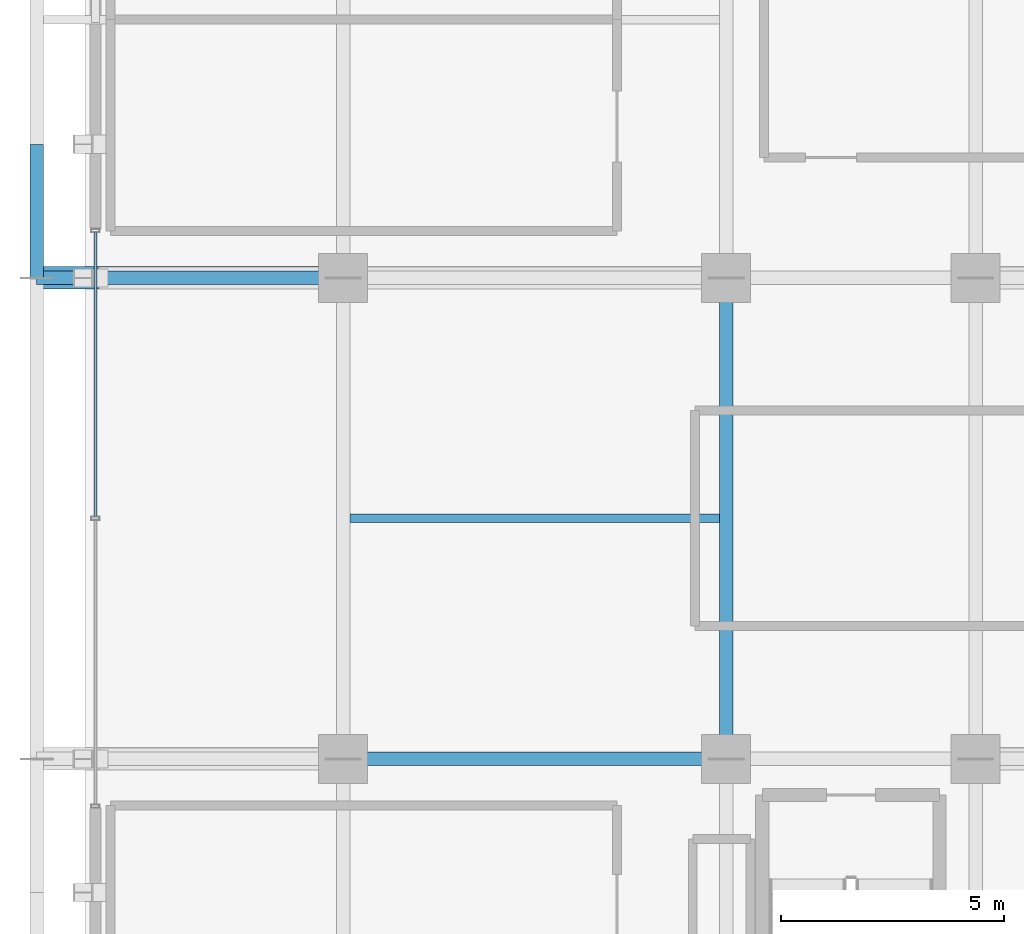
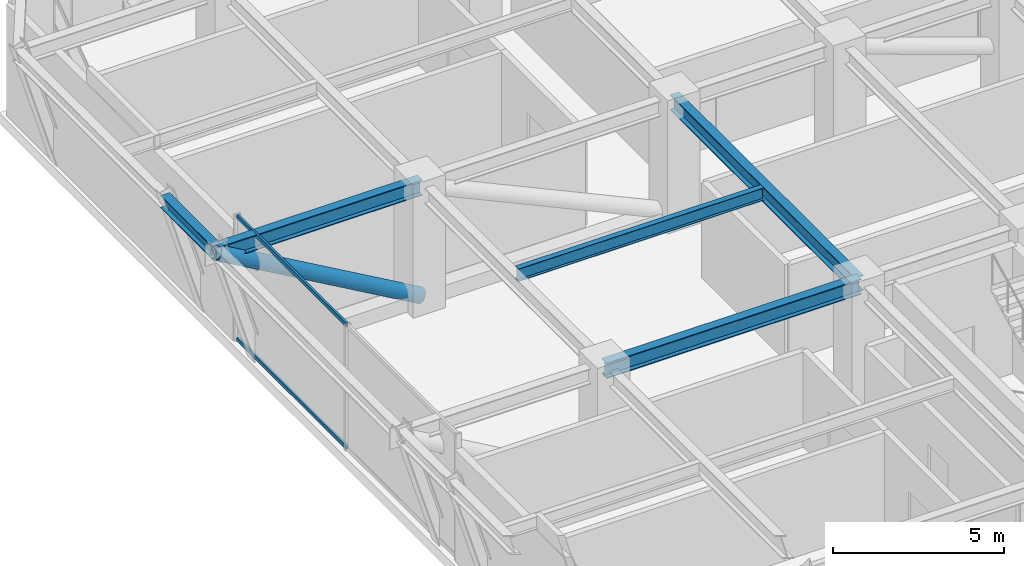
# One storey, part 3 of 16: 5 beams, 3 members, 1 element without a shape of its own.
"""IFC4 building model written with IfcOpenShell, lengths in metres."""

from ifc_helpers import new_model, si_unit, direction, frame, origin, origin_2d, place, context, subcontext, project, spatial, hollow_rectangle, hollow_circle, i_section, extrude, source, transform, mapped, material, material_profile, profile_set, type_object, element, aggregate, save


model = new_model("IFC4")

# Units and contexts
model_context = context("Model", 3, precision=1e-05, world=origin(), true_north=direction((0.0, 1.0)))
body_context = subcontext(model_context, "Body", "Model", "MODEL_VIEW")
ifc_project = project(units=[si_unit("LENGTHUNIT", "METRE"), si_unit("AREAUNIT", "SQUARE_METRE"), si_unit("VOLUMEUNIT", "CUBIC_METRE"), si_unit("PLANEANGLEUNIT", "RADIAN"), si_unit("MASSUNIT", "GRAM", prefix="KILO")], contexts=[model_context])

# Site, building, storey
site_placement = place(None, origin())
site = spatial("IfcSite", under=ifc_project, at=site_placement, CompositionType="ELEMENT")
building_placement = place(site_placement, origin())
building = spatial("IfcBuilding", under=site, at=building_placement, Name="Nahalor Promenade Grand Hotel", CompositionType="ELEMENT")
storey_placement = place(building_placement, frame((0.0, 0.0, 200.10009765625)))
storey = spatial("IfcBuildingStorey", under=building, at=storey_placement, Name="L51", CompositionType="ELEMENT", Elevation=200.10009765625)

# Beams
ifc_material_1 = material(Name="Steel S355JR", Category="steel")
ifc_material_profile_1 = material_profile(ifc_material_1, i_section(OverallWidth=0.3, OverallDepth=0.55, WebThickness=0.015, FlangeThickness=0.029, at=origin_2d()), Name="HEB 550")
ifc_profile_set_1 = profile_set([ifc_material_profile_1], Name="Steel S355JR")
beam_type_1 = type_object("IfcBeamType", Name="Beam-Girder-HEB550", PredefinedType="BEAM", material=ifc_profile_set_1)
shared_shape_1 = source(origin(), body_context, "Body", "SweptSolid", [
    extrude(i_section(OverallWidth=0.3, OverallDepth=0.55, WebThickness=0.015, FlangeThickness=0.029, at=origin_2d()), origin(), (0.0, 0.0, 1.0), 8.60009765625),
])
beam_1_placement = place(storey_placement, frame((-17.0, -5.39990234375, 4.23486328125), z_axis=(1.0, 0.0, 0.0), x_axis=(0.0, 1.0, 0.0)))
element("IfcBeam", 1, at=beam_1_placement, inside=storey, type_object=beam_type_1, Name="BM-L51-GX-1-1", PredefinedType="BEAM", context=body_context, shape_type="MappedRepresentation", body=[
    mapped(shared_shape_1, transform((0.0, 0.0, 0.0), scale=1.0)),
])
shared_shape_2 = source(origin(), body_context, "Body", "SweptSolid", [
    extrude(i_section(OverallWidth=0.3, OverallDepth=0.55, WebThickness=0.015, FlangeThickness=0.029, at=origin_2d()), origin(), (0.0, 0.0, 1.0), 10.7998046875),
])
beam_2_placement = place(storey_placement, frame((-8.39990234375, -5.39990234375, 4.23486328125), z_axis=(0.0, 1.0, 0.0), x_axis=(-1.0, 0.0, 0.0)))
element("IfcBeam", 2, at=beam_2_placement, inside=storey, type_object=beam_type_1, Name="BM-L51-GY-1-2", PredefinedType="BEAM", context=body_context, shape_type="MappedRepresentation", body=[
    mapped(shared_shape_2, transform((0.0, 0.0, 0.0), scale=1.0)),
])
ifc_material_profile_2 = material_profile(ifc_material_1, i_section(OverallWidth=0.19, OverallDepth=0.45, WebThickness=0.0094, FlangeThickness=0.0146, at=origin_2d()), Name="IPE 450")
ifc_profile_set_2 = profile_set([ifc_material_profile_2], Name="Steel S355JR")
beam_type_2 = type_object("IfcBeamType", Name="Beam-Joist-IPE450", PredefinedType="JOIST", material=ifc_profile_set_2)
shared_shape_3 = source(origin(), body_context, "Body", "SweptSolid", [
    extrude(i_section(OverallWidth=0.19, OverallDepth=0.45, WebThickness=0.0094, FlangeThickness=0.0146, at=origin_2d()), origin(), (0.0, 0.0, 1.0), 8.300048828125),
])
beam_3_placement = place(storey_placement, frame((-16.85009765625, 0.0, 4.284912109375), z_axis=(1.0, 0.0, 0.0), x_axis=(0.0, 1.0, 0.0)))
element("IfcBeam", 3, at=beam_3_placement, inside=storey, type_object=beam_type_2, Name="BM-L51-JSC-0", PredefinedType="JOIST", context=body_context, shape_type="MappedRepresentation", body=[
    mapped(shared_shape_3, transform((0.0, 0.0, 0.0), scale=1.0)),
])
ifc_material_profile_3 = material_profile(ifc_material_1, i_section(OverallWidth=0.3, OverallDepth=0.45, WebThickness=0.014, FlangeThickness=0.026, at=origin_2d()), Name="HEB 450")
ifc_profile_set_3 = profile_set([ifc_material_profile_3], Name="Steel S355JR")
beam_type_3 = type_object("IfcBeamType", Name="Beam-Spandrel-HEB450", PredefinedType="SPANDREL", material=ifc_profile_set_3)
shared_shape_4 = source(origin(), body_context, "Body", "SweptSolid", [
    extrude(i_section(OverallWidth=0.3, OverallDepth=0.45, WebThickness=0.014, FlangeThickness=0.026, at=origin_2d()), origin(), (0.0, 0.0, 1.0), 3.0),
])
beam_4_placement = place(storey_placement, frame((-23.8798828125, 5.39990234375, 4.284912109375), z_axis=(0.0, 1.0, 0.0), x_axis=(-1.0, 0.0, 0.0)))
element("IfcBeam", 4, at=beam_4_placement, inside=storey, type_object=beam_type_3, Name="BM-L51-SP-W-3", PredefinedType="SPANDREL", context=body_context, shape_type="MappedRepresentation", body=[
    mapped(shared_shape_4, transform((0.0, 0.0, 0.0), scale=1.0)),
])
shared_shape_5 = source(origin(), body_context, "Body", "SweptSolid", [
    extrude(i_section(OverallWidth=0.3, OverallDepth=0.55, WebThickness=0.015, FlangeThickness=0.029, at=origin_2d()), origin(), (0.0, 0.0, 1.0), 6.8798828125),
])
beam_5_placement = place(storey_placement, frame((-23.8798828125, 5.39990234375, 4.23486328125), z_axis=(1.0, 0.0, 0.0), x_axis=(0.0, 1.0, 0.0)))
element("IfcBeam", 5, at=beam_5_placement, inside=storey, type_object=beam_type_1, Name="BM-L51-GX-2-0", PredefinedType="BEAM", context=body_context, shape_type="MappedRepresentation", body=[
    mapped(shared_shape_5, transform((0.0, 0.0, 0.0), scale=1.0)),
])

# Member
ifc_material_2 = material(Name="Steel S355J2", Category="steel")
ifc_material_profile_4 = material_profile(ifc_material_2, hollow_circle(Radius=0.254, WallThickness=0.025, at=origin_2d()), Name="CHS 508x25")
ifc_profile_set_4 = profile_set([ifc_material_profile_4], Name="Steel S355J2")
member_type_1 = type_object("IfcMemberType", Name="Mem-OutDiag-CHS508", PredefinedType="BRACE", material=ifc_profile_set_4)
shared_shape_6 = source(origin(), body_context, "Body", "SweptSolid", [
    extrude(hollow_circle(Radius=0.254, WallThickness=0.025, at=origin_2d()), origin(), (0.0, 0.0, 1.0), 7.933349609375),
])
member_1_placement = place(storey_placement, frame((-17.0, 5.39990234375, 0.2998046875), z_axis=(-0.867218645368, 0.0, 0.497927525978), x_axis=(0.0, -1.0, 0.0)))
element("IfcMember", 6, at=member_1_placement, inside=storey, type_object=member_type_1, Name="OU-L51-W2-D2", PredefinedType="BRACE", context=body_context, shape_type="MappedRepresentation", body=[
    mapped(shared_shape_6, transform((0.0, 0.0, 0.0), scale=1.0)),
])

# Curtain wall, members
ifc_material_3 = material(Name="Anodised Bronze Aluminium EN AW-6063 T6", Category="aluminium")
curtain_wall_type = type_object("IfcCurtainWallType", Name="CW6 Crown Botanical Conservatory Curtain Wall", PredefinedType="USERDEFINED", material=ifc_material_3)
curtain_wall_placement = place(storey_placement, origin())
curtain_wall = element("IfcCurtainWall", 7, at=curtain_wall_placement, inside=storey, type_object=curtain_wall_type, Name="L51 Curtain Wall CW-L51-W", ObjectType="UNITISED_CURTAIN_WALL", PredefinedType="USERDEFINED")
ifc_material_profile_5 = material_profile(ifc_material_3, hollow_rectangle(XDim=0.075, YDim=0.135, WallThickness=0.004, at=origin_2d()), Name="CWT 75x135x4")
ifc_profile_set_5 = profile_set([ifc_material_profile_5], Name="Anodised Bronze Aluminium EN AW-6063 T6")
member_type_2 = type_object("IfcMemberType", Name="CWT6 Conservatory Transom 75x135", PredefinedType="USERDEFINED", material=ifc_profile_set_5)
shared_shape_7 = source(origin(), body_context, "Body", "SweptSolid", [
    extrude(hollow_rectangle(XDim=0.075, YDim=0.135, WallThickness=0.004, at=origin_2d()), origin(), (0.0, 0.0, 1.0), 6.387451171875),
])
member_2_placement = place(storey_placement, frame((-22.56005859375, 0.03759765625, 0.0673828125), z_axis=(0.0, 1.0, 0.0), x_axis=(-1.0, 0.0, 0.0)))
member_2 = element("IfcMember", 8, at=member_2_placement, type_object=member_type_2, Name="CW-L51-W Transom 1-0", ObjectType="TRANSOM", PredefinedType="USERDEFINED", context=body_context, shape_type="MappedRepresentation", body=[
    mapped(shared_shape_7, transform((0.0, 0.0, 0.0), scale=1.0)),
])
member_3_placement = place(storey_placement, frame((-22.56005859375, 0.03759765625, 4.4423828125), z_axis=(0.0, 1.0, 0.0), x_axis=(-1.0, 0.0, 0.0)))
member_3 = element("IfcMember", 9, at=member_3_placement, type_object=member_type_2, Name="CW-L51-W Transom 1-1", ObjectType="TRANSOM", PredefinedType="USERDEFINED", context=body_context, shape_type="MappedRepresentation", body=[
    mapped(shared_shape_7, transform((0.0, 0.0, 0.0), scale=1.0)),
])
aggregate(curtain_wall, [member_2, member_3])

save(model, "model.ifc")
